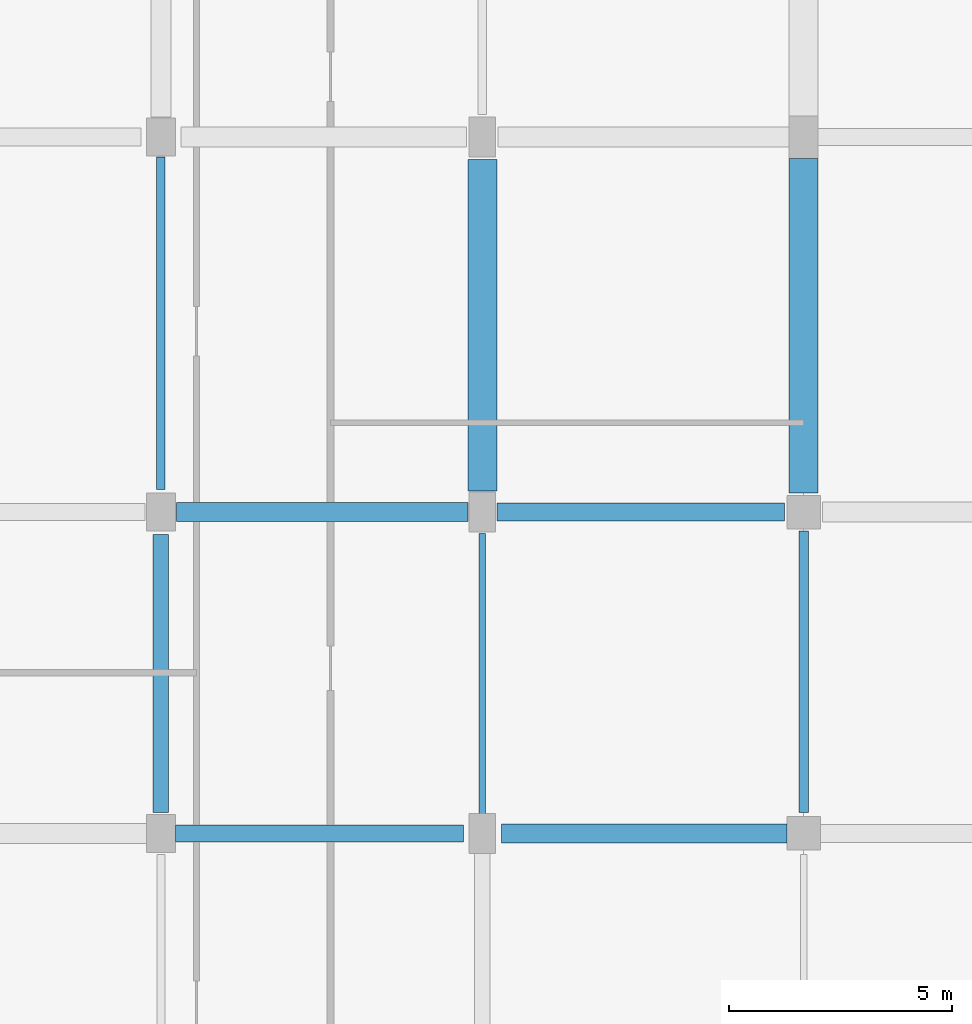
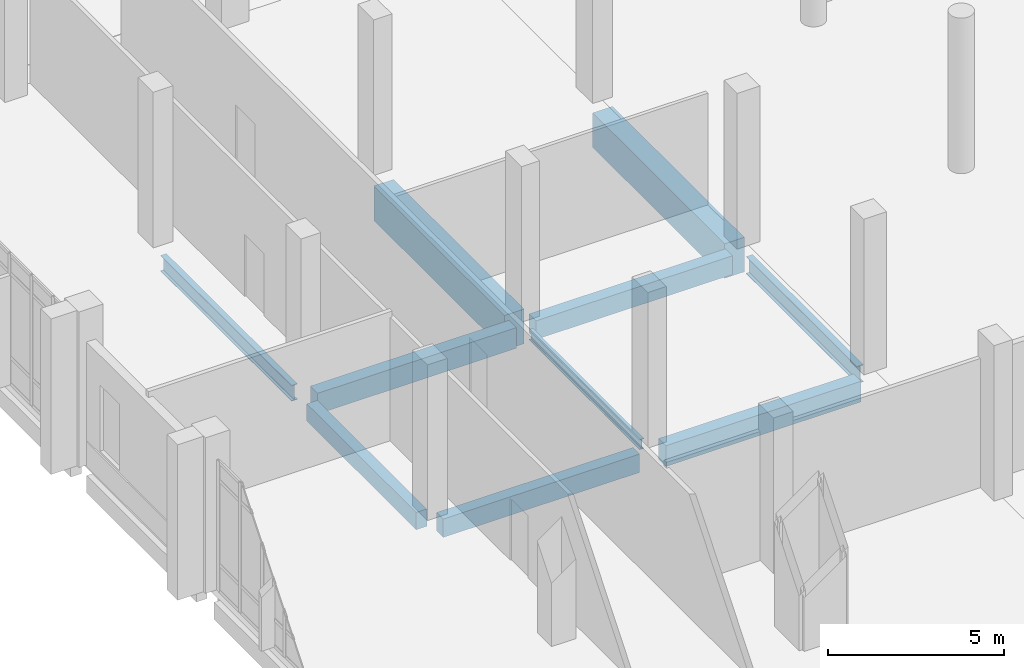
# One storey, part 39 of 110: 10 beams.
"""IFC4 building model written with IfcOpenShell, lengths in metres."""

from ifc_helpers import new_model, si_unit, direction, frame, origin, origin_2d, place, context, subcontext, project, spatial, rectangle, i_section, extrude, material, material_profile, profile_set, type_object, element, save


model = new_model("IFC4")

# Units and contexts
model_context = context("Model", 3, precision=1e-05, world=origin(), true_north=direction((0.0, 1.0)))
body_context = subcontext(model_context, "Body", "Model", "MODEL_VIEW")
ifc_project = project(units=[si_unit("LENGTHUNIT", "METRE"), si_unit("AREAUNIT", "SQUARE_METRE"), si_unit("VOLUMEUNIT", "CUBIC_METRE"), si_unit("PLANEANGLEUNIT", "RADIAN"), si_unit("MASSUNIT", "GRAM", prefix="KILO")], contexts=[model_context])

# Site, building, storey
site_placement = place(None, origin())
site = spatial("IfcSite", under=ifc_project, at=site_placement, CompositionType="ELEMENT")
building_placement = place(site_placement, origin())
building = spatial("IfcBuilding", under=site, at=building_placement, Name="Kalluvel Institute of Natural Sciences", CompositionType="ELEMENT")
storey_placement = place(building_placement, origin())
storey = spatial("IfcBuildingStorey", under=building, at=storey_placement, Name="L00", CompositionType="ELEMENT", Elevation=0.0)

# Beams
ifc_material_1 = material(Name="Steel E350 Grade 350", Category="steel")
ifc_material_profile_1 = material_profile(ifc_material_1, i_section(OverallWidth=0.139892578125, OverallDepth=0.35009765625, WebThickness=0.008056640625, FlangeThickness=0.01416015625, FilletRadius=0.013916015625, at=origin_2d()), Name="ISMB 350")
ifc_profile_set_1 = profile_set([ifc_material_profile_1], Name="Steel E350 Grade 350")
beam_type_1 = type_object("IfcBeamType", Name="BM-ISMB350", PredefinedType="BEAM", material=ifc_profile_set_1)
beam_1_placement = place(storey_placement, frame((28.39990234375, 79.22509765625, -0.4951171875), z_axis=(0.0, 1.0, 0.0), x_axis=(-1.0, 0.0, 0.0)))
element("IfcBeam", 1, at=beam_1_placement, inside=storey, type_object=beam_type_1, Name="L00 girder GIR-L00-NS-X284-Y788", PredefinedType="BEAM", context=body_context, shape_type="SweptSolid", body=[
    extrude(i_section(OverallWidth=0.139892578125, OverallDepth=0.35009765625, WebThickness=0.008056640625, FlangeThickness=0.01416015625, FilletRadius=0.013916015625, at=origin_2d()), origin(), (0.0, 0.0, 1.0), 6.2998046875),
])
ifc_material_profile_2 = material_profile(ifc_material_1, i_section(OverallWidth=0.18994140625, OverallDepth=0.550048828125, WebThickness=0.01123046875, FlangeThickness=0.019287109375, FilletRadius=0.01806640625, at=origin_2d()), Name="ISMB 550")
ifc_profile_set_2 = profile_set([ifc_material_profile_2], Name="Steel E350 Grade 350")
beam_type_2 = type_object("IfcBeamType", Name="BM-ISMB550", PredefinedType="BEAM", material=ifc_profile_set_2)
beam_2_placement = place(storey_placement, frame((21.199951171875, 86.5, -0.594970703125), z_axis=(0.0, 1.0, 0.0), x_axis=(-1.0, 0.0, 0.0)))
element("IfcBeam", 2, at=beam_2_placement, inside=storey, type_object=beam_type_2, Name="L00 girder GIR-L00-NS-X212-Y860", PredefinedType="BEAM", context=body_context, shape_type="SweptSolid", body=[
    extrude(i_section(OverallWidth=0.18994140625, OverallDepth=0.550048828125, WebThickness=0.01123046875, FlangeThickness=0.019287109375, FilletRadius=0.01806640625, at=origin_2d()), origin(), (0.0, 0.0, 1.0), 7.449951171875),
])
ifc_material_profile_3 = material_profile(ifc_material_1, i_section(OverallWidth=0.2099609375, OverallDepth=0.60009765625, WebThickness=0.011962890625, FlangeThickness=0.020751953125, FilletRadius=0.02001953125, at=origin_2d()), Name="ISMB 600")
ifc_profile_set_3 = profile_set([ifc_material_profile_3], Name="Steel E350 Grade 350")
beam_type_3 = type_object("IfcBeamType", Name="BM-ISMB600", PredefinedType="BEAM", material=ifc_profile_set_3)
beam_3_placement = place(storey_placement, frame((35.60009765625, 79.27490234375, -0.6201171875), z_axis=(0.0, 1.0, 0.0), x_axis=(-1.0, 0.0, 0.0)))
element("IfcBeam", 3, at=beam_3_placement, inside=storey, type_object=beam_type_3, Name="L00 girder GIR-L00-NS-X356-Y788", PredefinedType="BEAM", context=body_context, shape_type="SweptSolid", body=[
    extrude(i_section(OverallWidth=0.2099609375, OverallDepth=0.60009765625, WebThickness=0.011962890625, FlangeThickness=0.020751953125, FilletRadius=0.02001953125, at=origin_2d()), origin(), (0.0, 0.0, 1.0), 6.300048828125),
])
ifc_material_2 = material(Name="Concrete M40", Category="concrete")
ifc_material_profile_4 = material_profile(ifc_material_2, rectangle(XDim=0.35009765625, YDim=0.60009765625, at=origin_2d()), Name="RCB 350x600")
ifc_profile_set_4 = profile_set([ifc_material_profile_4], Name="Concrete M40")
beam_type_4 = type_object("IfcBeamType", Name="BM-RC350x600", PredefinedType="BEAM", material=ifc_profile_set_4)
beam_4_placement = place(storey_placement, frame((21.199951171875, 79.27490234375, -0.6201171875), z_axis=(0.0, 1.0, 0.0), x_axis=(-1.0, 0.0, 0.0)))
element("IfcBeam", 4, at=beam_4_placement, inside=storey, type_object=beam_type_4, Name="L00 girder GIR-L00-NS-X212-Y788", PredefinedType="BEAM", context=body_context, shape_type="SweptSolid", body=[
    extrude(rectangle(XDim=0.35009765625, YDim=0.60009765625, at=origin_2d()), origin(), (0.0, 0.0, 1.0), 6.22509765625),
])
ifc_material_profile_5 = material_profile(ifc_material_2, rectangle(XDim=0.3798828125, YDim=0.639892578125, at=origin_2d()), Name="RCB 380x640")
ifc_profile_set_5 = profile_set([ifc_material_profile_5], Name="Concrete M40")
beam_type_5 = type_object("IfcBeamType", Name="BM-RC380x640", PredefinedType="BEAM", material=ifc_profile_set_5)
beam_5_placement = place(storey_placement, frame((21.52490234375, 78.800048828125, -0.639892578125), z_axis=(1.0, 0.0, 0.0), x_axis=(0.0, 1.0, 0.0)))
element("IfcBeam", 5, at=beam_5_placement, inside=storey, type_object=beam_type_5, Name="L00 girder GIR-L00-EW-X212-Y788", PredefinedType="BEAM", context=body_context, shape_type="SweptSolid", body=[
    extrude(rectangle(XDim=0.3798828125, YDim=0.639892578125, at=origin_2d()), origin(), (0.0, 0.0, 1.0), 6.4501953125),
])
ifc_material_profile_6 = material_profile(ifc_material_2, rectangle(XDim=0.39990234375, YDim=0.64990234375, at=origin_2d()), Name="RCB 400x650")
ifc_profile_set_6 = profile_set([ifc_material_profile_6], Name="Concrete M40")
beam_type_6 = type_object("IfcBeamType", Name="BM-RC400x650", PredefinedType="BEAM", material=ifc_profile_set_6)
beam_6_placement = place(storey_placement, frame((28.72509765625, 86.0, -0.64501953125), z_axis=(1.0, 0.0, 0.0), x_axis=(0.0, 1.0, 0.0)))
element("IfcBeam", 6, at=beam_6_placement, inside=storey, type_object=beam_type_6, Name="L00 girder GIR-L00-EW-X284-Y860", PredefinedType="BEAM", context=body_context, shape_type="SweptSolid", body=[
    extrude(rectangle(XDim=0.39990234375, YDim=0.64990234375, at=origin_2d()), origin(), (0.0, 0.0, 1.0), 6.449951171875),
])
ifc_material_profile_7 = material_profile(ifc_material_2, rectangle(XDim=0.419921875, YDim=0.719970703125, at=origin_2d()), Name="RCB 420x720")
ifc_profile_set_7 = profile_set([ifc_material_profile_7], Name="Concrete M40")
beam_type_7 = type_object("IfcBeamType", Name="BM-RC420x720", PredefinedType="BEAM", material=ifc_profile_set_7)
beam_7_placement = place(storey_placement, frame((28.824951171875, 78.800048828125, -0.679931640625), z_axis=(1.0, 0.0, 0.0), x_axis=(0.0, 1.0, 0.0)))
element("IfcBeam", 7, at=beam_7_placement, inside=storey, type_object=beam_type_7, Name="L00 girder GIR-L00-EW-X284-Y788", PredefinedType="BEAM", context=body_context, shape_type="SweptSolid", body=[
    extrude(rectangle(XDim=0.419921875, YDim=0.719970703125, at=origin_2d()), origin(), (0.0, 0.0, 1.0), 6.400146484375),
])
beam_8_placement = place(storey_placement, frame((21.550048828125, 86.0, -0.679931640625), z_axis=(1.0, 0.0, 0.0), x_axis=(0.0, 1.0, 0.0)))
element("IfcBeam", 8, at=beam_8_placement, inside=storey, type_object=beam_type_7, Name="L00 girder GIR-L00-EW-X212-Y860", PredefinedType="BEAM", context=body_context, shape_type="SweptSolid", body=[
    extrude(rectangle(XDim=0.419921875, YDim=0.719970703125, at=origin_2d()), origin(), (0.0, 0.0, 1.0), 6.52490234375),
])
ifc_material_3 = material(Name="Concrete M50", Category="concrete")
ifc_material_profile_8 = material_profile(ifc_material_3, rectangle(XDim=0.64990234375, YDim=1.199951171875, at=origin_2d()), Name="RCB 650x1200")
ifc_profile_set_8 = profile_set([ifc_material_profile_8], Name="Concrete M50")
beam_type_8 = type_object("IfcBeamType", Name="BM-RC650x1200", PredefinedType="BEAM", material=ifc_profile_set_8)
beam_9_placement = place(storey_placement, frame((28.39990234375, 86.47509765625, -0.919921875), z_axis=(0.0, 1.0, 0.0), x_axis=(-1.0, 0.0, 0.0)))
element("IfcBeam", 9, at=beam_9_placement, inside=storey, type_object=beam_type_8, Name="L00 girder GIR-L00-NS-X284-Y860", PredefinedType="BEAM", context=body_context, shape_type="SweptSolid", body=[
    extrude(rectangle(XDim=0.64990234375, YDim=1.199951171875, at=origin_2d()), origin(), (0.0, 0.0, 1.0), 7.4248046875),
])
beam_10_placement = place(storey_placement, frame((35.60009765625, 86.425048828125, -0.919921875), z_axis=(0.0, 1.0, 0.0), x_axis=(-1.0, 0.0, 0.0)))
element("IfcBeam", 10, at=beam_10_placement, inside=storey, type_object=beam_type_8, Name="L00 girder GIR-L00-NS-X356-Y860", PredefinedType="BEAM", context=body_context, shape_type="SweptSolid", body=[
    extrude(rectangle(XDim=0.64990234375, YDim=1.199951171875, at=origin_2d()), origin(), (0.0, 0.0, 1.0), 7.5),
])

save(model, "model.ifc")
